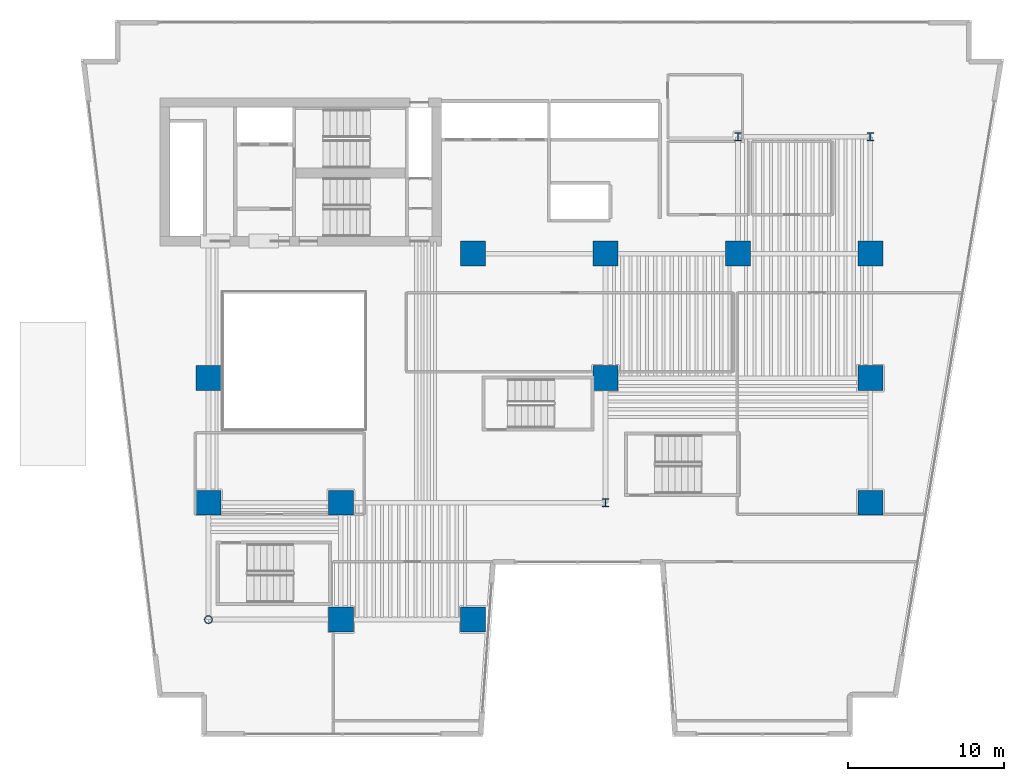
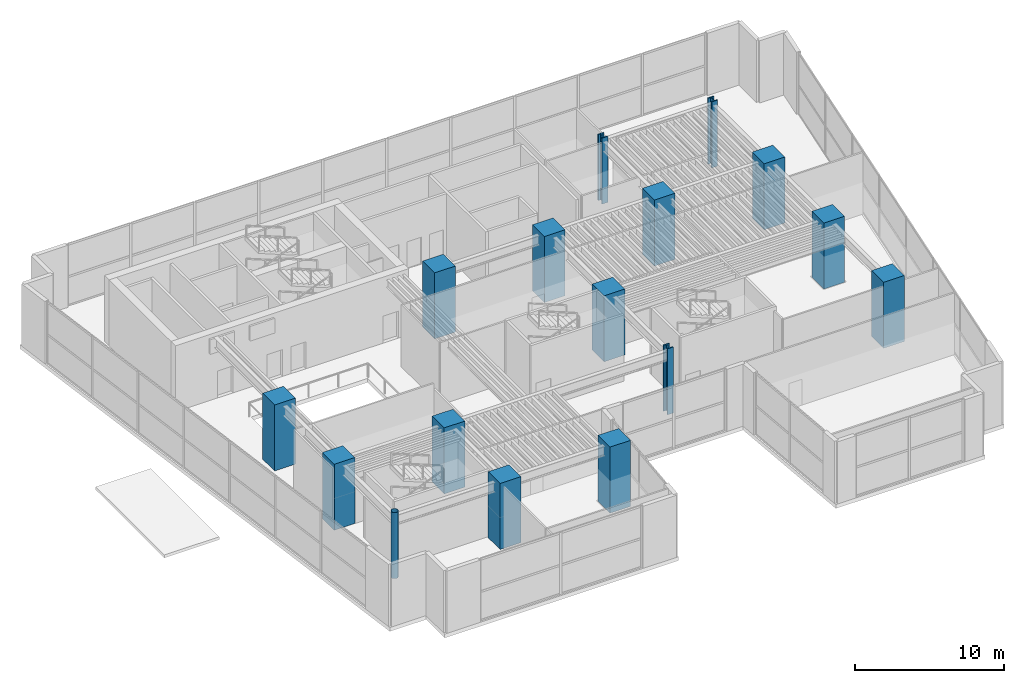
# One storey, part 1 of 17: 16 columns.
"""IFC4 building model written with IfcOpenShell, lengths in metres."""

from ifc_helpers import new_model, si_unit, direction, frame, origin, origin_2d, place, context, subcontext, project, spatial, rectangle, hollow_circle, i_section, extrude, material, material_profile, profile_set, type_object, element, save


model = new_model("IFC4")

# Units and contexts
model_context = context("Model", 3, precision=1e-05, world=origin(), true_north=direction((0.0, 1.0)))
body_context = subcontext(model_context, "Body", "Model", "MODEL_VIEW")
ifc_project = project(units=[si_unit("LENGTHUNIT", "METRE"), si_unit("AREAUNIT", "SQUARE_METRE"), si_unit("VOLUMEUNIT", "CUBIC_METRE"), si_unit("PLANEANGLEUNIT", "RADIAN"), si_unit("MASSUNIT", "GRAM", prefix="KILO")], contexts=[model_context])

# Site, building, storey
site_placement = place(None, origin())
site = spatial("IfcSite", under=ifc_project, at=site_placement, CompositionType="ELEMENT")
building_placement = place(site_placement, origin())
building = spatial("IfcBuilding", under=site, at=building_placement, Name="Caeloran Harvest Quay", CompositionType="ELEMENT")
storey_placement = place(building_placement, frame((0.0, 0.0, 5.39990234375)))
storey = spatial("IfcBuildingStorey", under=building, at=storey_placement, Name="L02", CompositionType="ELEMENT", Elevation=5.39990234375)

# Columns
ifc_material_1 = material(Name="Steel HISTAR 460", Category="steel")
ifc_material_profile_1 = material_profile(ifc_material_1, hollow_circle(Radius=0.25390625, WallThickness=0.02490234375, at=origin_2d()), Name="CHS 508x25")
ifc_profile_set_1 = profile_set([ifc_material_profile_1], Name="Steel HISTAR 460")
column_type_1 = type_object("IfcColumnType", Name="COL-CC-1-CHS_508x25", PredefinedType="COLUMN", material=ifc_profile_set_1)
column_placement = place(storey_placement, frame((8.5, 7.5, 0.0), z_axis=(0.0, 0.0, 1.0), x_axis=(1.0, 0.0, 0.0)))
element("IfcColumn", 1, at=column_placement, inside=storey, type_object=column_type_1, Name="L02 Structural Column (8.5, 7.5)", PredefinedType="COLUMN", context=body_context, shape_type="SweptSolid", body=[
    extrude(hollow_circle(Radius=0.25390625, WallThickness=0.02490234375, at=origin_2d()), origin(), (0.0, 0.0, 1.0), 5.400146484375),
])
ifc_material_2 = material(Name="Concrete C80/95", Category="concrete")
ifc_material_profile_2 = material_profile(ifc_material_2, rectangle(XDim=1.60009765625, YDim=1.60009765625, at=origin_2d()), Name="RC 1600x1600")
ifc_profile_set_2 = profile_set([ifc_material_profile_2], Name="Concrete C80/95")
column_type_2 = type_object("IfcColumnType", Name="COL-MC-1-RC_1600x1600", PredefinedType="COLUMN", material=ifc_profile_set_2)
for number, where, z_axis, x_axis, name in (
    (2, (8.5, 15.0, 0.0), (0.0, 0.0, 1.0), (1.0, 0.0, 0.0), "L02 Structural Column (8.5, 15.0)"),
    (3, (8.5, 23.0, 0.0), (0.0, 0.0, 1.0), (1.0, 0.0, 0.0), "L02 Structural Column (8.5, 23.0)"),
    (4, (17.0, 7.5, 0.0), (0.0, 0.0, 1.0), (1.0, 0.0, 0.0), "L02 Structural Column (17.0, 7.5)"),
    (5, (17.0, 15.0, 0.0), (0.0, 0.0, 1.0), (1.0, 0.0, 0.0), "L02 Structural Column (17.0, 15.0)"),
    (6, (25.5, 7.5, 0.0), (0.0, 0.0, 1.0), (1.0, 0.0, 0.0), "L02 Structural Column (25.5, 7.5)"),
    (7, (25.5, 31.0, 0.0), (0.0, 0.0, 1.0), (1.0, 0.0, 0.0), "L02 Structural Column (25.5, 31.0)"),
    (8, (34.0, 23.0, 0.0), (0.0, 0.0, 1.0), (1.0, 0.0, 0.0), "L02 Structural Column (34.0, 23.0)"),
    (9, (34.0, 31.0, 0.0), (0.0, 0.0, 1.0), (1.0, 0.0, 0.0), "L02 Structural Column (34.0, 31.0)"),
    (10, (42.5, 31.0, 0.0), (0.0, 0.0, 1.0), (1.0, 0.0, 0.0), "L02 Structural Column (42.5, 31.0)"),
    (11, (51.0, 15.0, 0.0), (0.0, 0.0, 1.0), (1.0, 0.0, 0.0), "L02 Structural Column (51.0, 15.0)"),
    (12, (51.0, 23.0, 0.0), (0.0, 0.0, 1.0), (1.0, 0.0, 0.0), "L02 Structural Column (51.0, 23.0)"),
    (13, (51.0, 31.0, 0.0), (0.0, 0.0, 1.0), (1.0, 0.0, 0.0), "L02 Structural Column (51.0, 31.0)"),
):
    element("IfcColumn", number, at=place(storey_placement, frame(where, z_axis=z_axis, x_axis=x_axis)), inside=storey, type_object=column_type_2, Name=name, PredefinedType="COLUMN", context=body_context, shape_type="SweptSolid", body=[
        extrude(rectangle(XDim=1.60009765625, YDim=1.60009765625, at=origin_2d()), origin(), (0.0, 0.0, 1.0), 5.400146484375),
    ])
ifc_material_profile_3 = material_profile(ifc_material_1, i_section(OverallWidth=0.4541015625, OverallDepth=0.569091796875, WebThickness=0.077880859375, FlangeThickness=0.080078125, FilletRadius=0.014892578125, at=origin_2d()), Name="HD 400x1086")
ifc_profile_set_3 = profile_set([ifc_material_profile_3], Name="Steel HISTAR 460")
column_type_3 = type_object("IfcColumnType", Name="COL-SC-1-HD_400x1086", PredefinedType="COLUMN", material=ifc_profile_set_3)
for number, where, z_axis, x_axis, name in (
    (14, (34.0, 15.0, 0.0), (0.0, 0.0, 1.0), (1.0, 0.0, 0.0), "L02 Structural Column (34.0, 15.0)"),
    (15, (42.5, 38.5, 0.0), (0.0, 0.0, 1.0), (1.0, 0.0, 0.0), "L02 Structural Column (42.5, 38.5)"),
    (16, (51.0, 38.5, 0.0), (0.0, 0.0, 1.0), (1.0, 0.0, 0.0), "L02 Structural Column (51.0, 38.5)"),
):
    element("IfcColumn", number, at=place(storey_placement, frame(where, z_axis=z_axis, x_axis=x_axis)), inside=storey, type_object=column_type_3, Name=name, PredefinedType="COLUMN", context=body_context, shape_type="SweptSolid", body=[
        extrude(i_section(OverallWidth=0.4541015625, OverallDepth=0.569091796875, WebThickness=0.077880859375, FlangeThickness=0.080078125, FilletRadius=0.014892578125, at=origin_2d()), origin(), (0.0, 0.0, 1.0), 5.400146484375),
    ])

save(model, "model.ifc")
